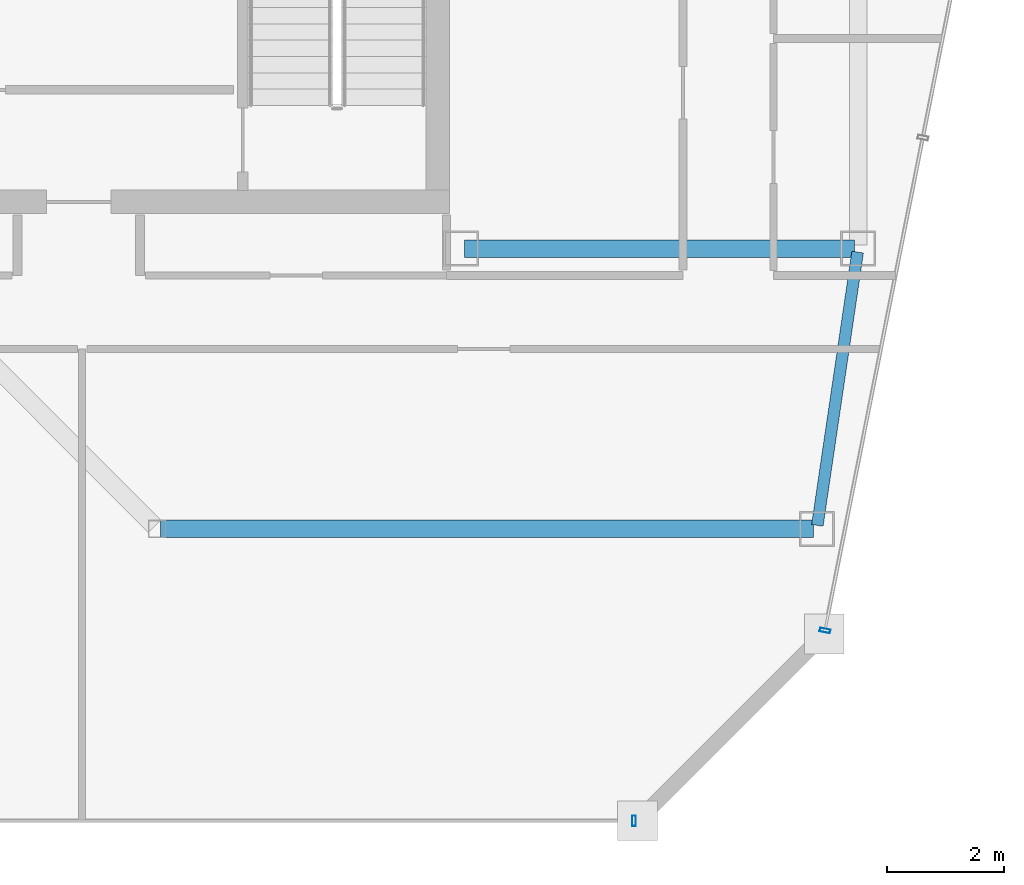
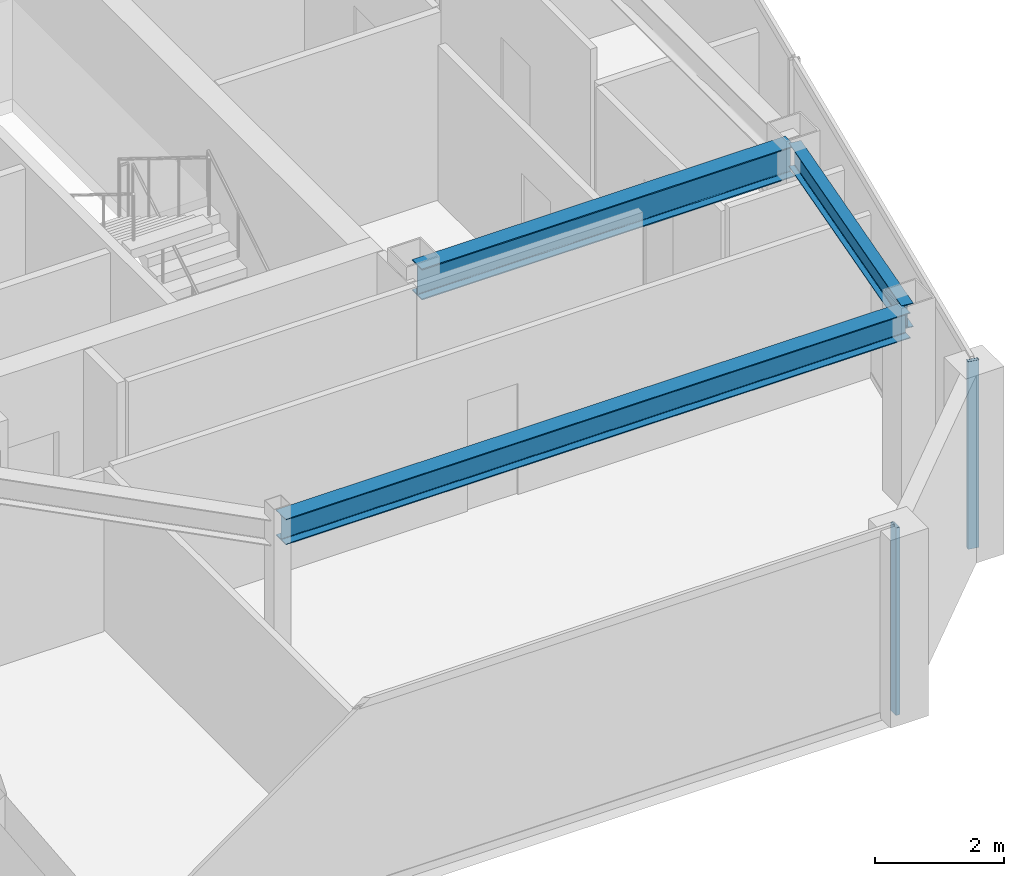
# One storey, part 13 of 23: 3 beams, 2 members, 2 elements without a shape of their own.
"""IFC4 building model written with IfcOpenShell, lengths in metres."""

from ifc_helpers import new_model, si_unit, direction, frame, origin, origin_2d, place, context, subcontext, project, spatial, hollow_rectangle, i_section, extrude, material, material_profile, profile_set, type_object, element, aggregate, save


model = new_model("IFC4")

# Units and contexts
model_context = context("Model", 3, precision=1e-05, world=origin(), true_north=direction((0.0, 1.0)))
body_context = subcontext(model_context, "Body", "Model", "MODEL_VIEW")
ifc_project = project(units=[si_unit("LENGTHUNIT", "METRE"), si_unit("AREAUNIT", "SQUARE_METRE"), si_unit("VOLUMEUNIT", "CUBIC_METRE"), si_unit("PLANEANGLEUNIT", "RADIAN"), si_unit("MASSUNIT", "GRAM", prefix="KILO")], contexts=[model_context])

# Site, building, storey
site_placement = place(None, origin())
site = spatial("IfcSite", under=ifc_project, at=site_placement, CompositionType="ELEMENT")
building_placement = place(site_placement, origin())
building = spatial("IfcBuilding", under=site, at=building_placement, Name="Saevonmaru Cultural Tower", CompositionType="ELEMENT")
storey_placement = place(building_placement, frame((0.0, 0.0, 302.800048828125)))
storey = spatial("IfcBuildingStorey", under=building, at=storey_placement, Name="L72", CompositionType="ELEMENT", Elevation=302.800048828125)

# Beams
ifc_material_1 = material(Name="Steel SM355", Category="steel")
ifc_material_profile_1 = material_profile(ifc_material_1, i_section(OverallWidth=0.300048828125, OverallDepth=0.488037109375, WebThickness=0.010986328125, FlangeThickness=0.01806640625, FilletRadius=0.02197265625, at=origin_2d()), Name="H-488x300x11x18")
ifc_profile_set_1 = profile_set([ifc_material_profile_1], Name="Steel SM355")
beam_type_1 = type_object("IfcBeamType", Name="BM-G-H488", PredefinedType="BEAM", material=ifc_profile_set_1)
beam_1_placement = place(storey_placement, frame((41.251953125, 37.60009765625, 3.305908203125), z_axis=(1.0, 0.0, 0.0), x_axis=(0.0, 1.0, 0.0)))
element("IfcBeam", 1, at=beam_1_placement, inside=storey, type_object=beam_type_1, Name="L72 East Wing Transverse Girder 1", PredefinedType="BEAM", context=body_context, shape_type="SweptSolid", body=[
    extrude(i_section(OverallWidth=0.300048828125, OverallDepth=0.488037109375, WebThickness=0.010986328125, FlangeThickness=0.01806640625, FilletRadius=0.02197265625, at=origin_2d()), origin(), (0.0, 0.0, 1.0), 11.179931640625),
])
ifc_material_profile_2 = material_profile(ifc_material_1, i_section(OverallWidth=0.300048828125, OverallDepth=0.587890625, WebThickness=0.011962890625, FlangeThickness=0.02001953125, FilletRadius=0.02392578125, at=origin_2d()), Name="H-588x300x12x20")
ifc_profile_set_2 = profile_set([ifc_material_profile_2], Name="Steel SM355")
beam_type_2 = type_object("IfcBeamType", Name="BM-G-H588", PredefinedType="BEAM", material=ifc_profile_set_2)
beam_2_placement = place(storey_placement, frame((46.4599609375, 42.39990234375, 3.255859375), z_axis=(1.0, 0.0, 0.0), x_axis=(0.0, 1.0, 0.0)))
element("IfcBeam", 2, at=beam_2_placement, inside=storey, type_object=beam_type_2, Name="L72 Core South Girder 5", PredefinedType="BEAM", context=body_context, shape_type="SweptSolid", body=[
    extrude(i_section(OverallWidth=0.300048828125, OverallDepth=0.587890625, WebThickness=0.011962890625, FlangeThickness=0.02001953125, FilletRadius=0.02392578125, at=origin_2d()), origin(), (0.0, 0.0, 1.0), 6.679931640625),
])
ifc_material_profile_3 = material_profile(ifc_material_1, i_section(OverallWidth=0.199951171875, OverallDepth=0.449951171875, WebThickness=0.009033203125, FlangeThickness=0.013916015625, FilletRadius=0.01806640625, at=origin_2d()), Name="H-450x200x9x14")
ifc_profile_set_3 = profile_set([ifc_material_profile_3], Name="Steel SM355")
beam_type_3 = type_object("IfcBeamType", Name="BM-SP-H450", PredefinedType="SPANDREL", material=ifc_profile_set_3)
beam_3_placement = place(storey_placement, frame((52.500732421875, 37.659423828125, 3.324951171875), z_axis=(0.145912860028, 0.989297446312, 0.0), x_axis=(-0.989297446312, 0.145912860028, 0.0)))
element("IfcBeam", 3, at=beam_3_placement, inside=storey, type_object=beam_type_3, Name="L72 East Splayed Spandrel 1", PredefinedType="SPANDREL", context=body_context, shape_type="SweptSolid", body=[
    extrude(i_section(OverallWidth=0.199951171875, OverallDepth=0.449951171875, WebThickness=0.009033203125, FlangeThickness=0.013916015625, FilletRadius=0.01806640625, at=origin_2d()), origin(), (0.0, 0.0, 1.0), 4.731689453125),
])

# Curtain wall, member
ifc_material_2 = material(Name="Satin Bronze Anodised Aluminium", Category="aluminium")
curtain_wall_type = type_object("IfcCurtainWallType", Name="CW-TYP-B", PredefinedType="NOTDEFINED", material=ifc_material_2)
curtain_wall_1_placement = place(storey_placement, origin())
curtain_wall_1 = element("IfcCurtainWall", 4, at=curtain_wall_1_placement, inside=storey, type_object=curtain_wall_type, Name="L72 Unitised Curtain Wall E6", PredefinedType="NOTDEFINED")
ifc_material_profile_4 = material_profile(ifc_material_2, hollow_rectangle(XDim=0.06494140625, YDim=0.179931640625, WallThickness=0.00390625, at=origin_2d()), Name="ALU-MULL-180x65x4")
ifc_profile_set_4 = profile_set([ifc_material_profile_4], Name="Satin Bronze Anodised Aluminium")
member_type = type_object("IfcMemberType", Name="ML-CW-180x65", PredefinedType="MULLION", material=ifc_profile_set_4)
member_1_placement = place(storey_placement, frame((49.360107421875, 32.60009765625, 0.0), z_axis=(0.0, 0.0, 1.0), x_axis=(1.0, 0.0, 0.0)))
member_1 = element("IfcMember", 5, at=member_1_placement, type_object=member_type, Name="CW-TW-L72-E6 mullion 2", PredefinedType="MULLION", context=body_context, shape_type="SweptSolid", body=[
    extrude(hollow_rectangle(XDim=0.06494140625, YDim=0.179931640625, WallThickness=0.00390625, at=origin_2d()), origin(), (0.0, 0.0, 1.0), 3.550048828125),
])
aggregate(curtain_wall_1, [member_1])

curtain_wall_2_placement = place(storey_placement, origin())
curtain_wall_2 = element("IfcCurtainWall", 6, at=curtain_wall_2_placement, inside=storey, type_object=curtain_wall_type, Name="L72 Unitised Curtain Wall E8", PredefinedType="NOTDEFINED")
member_2_placement = place(storey_placement, frame((52.631591796875, 35.85888671875, 0.0), z_axis=(0.0, 0.0, 1.0), x_axis=(0.195005484813, 0.980802151758, 0.0)))
member_2 = element("IfcMember", 7, at=member_2_placement, type_object=member_type, Name="CW-TW-L72-E8 mullion 1", PredefinedType="MULLION", context=body_context, shape_type="SweptSolid", body=[
    extrude(hollow_rectangle(XDim=0.06494140625, YDim=0.179931640625, WallThickness=0.00390625, at=origin_2d()), origin(), (0.0, 0.0, 1.0), 3.550048828125),
])
aggregate(curtain_wall_2, [member_2])

save(model, "model.ifc")
